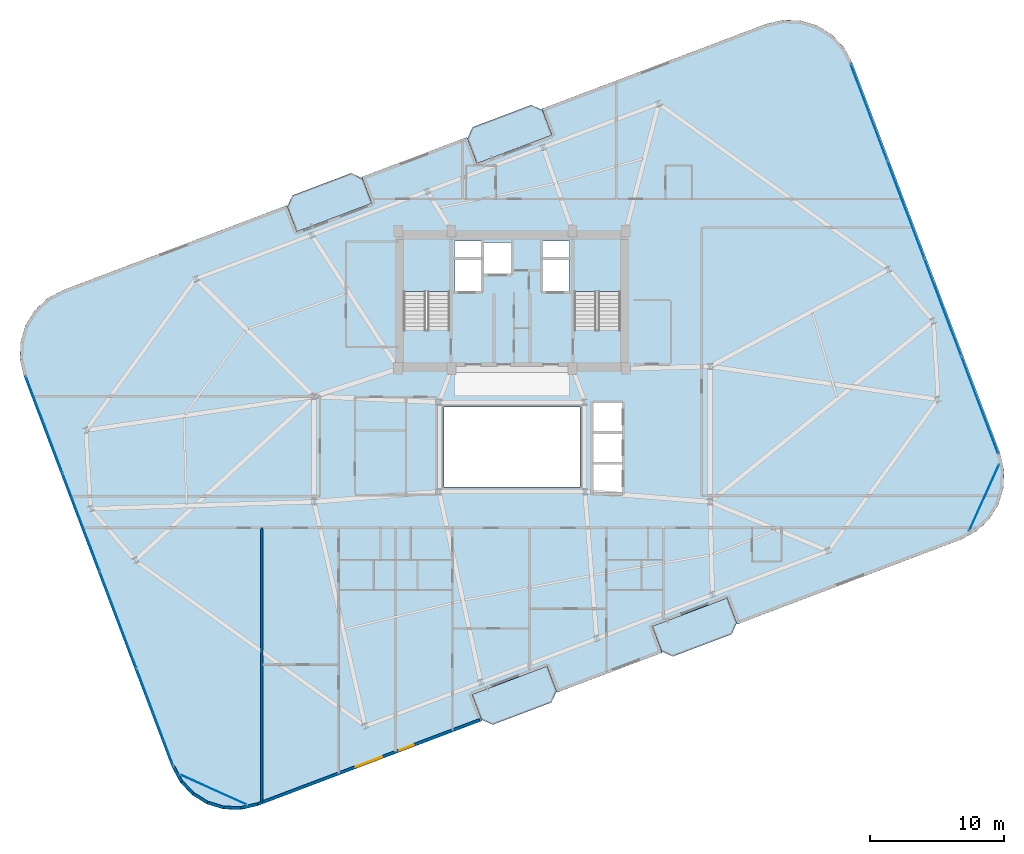
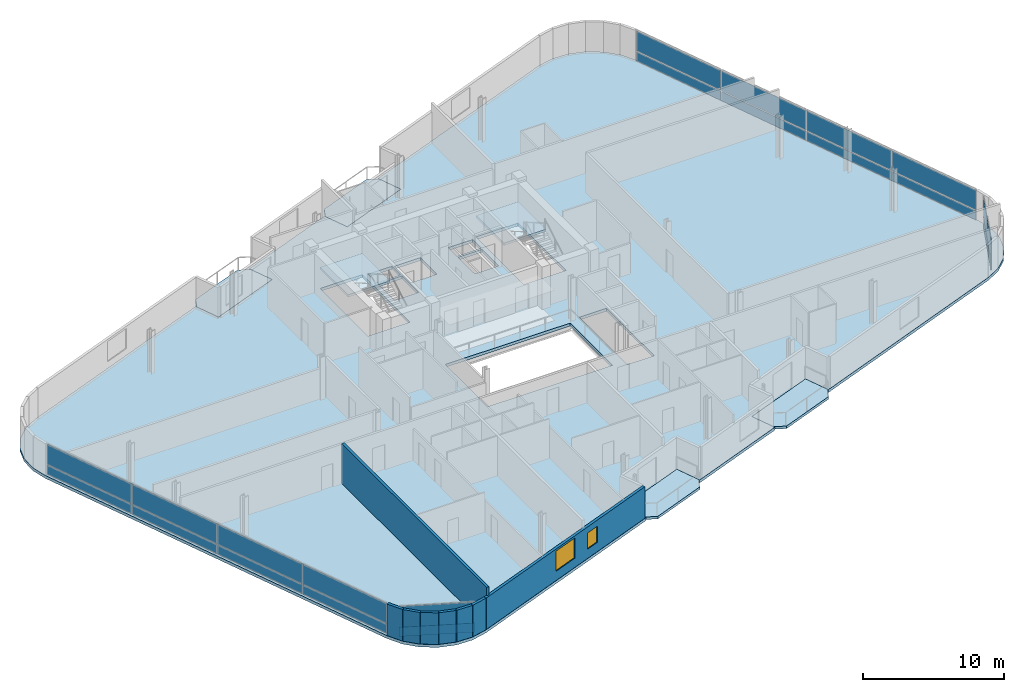
# One storey, part 17 of 24: 20 plates, 8 walls, 7 slabs, 2 windows, 2 openings, 6 elements without a shape of their own.
"""IFC4 building model written with IfcOpenShell, lengths in metres."""

from ifc_helpers import new_model, si_unit, direction, frame, frame_2d, origin, origin_2d, place, context, subcontext, project, spatial, polyline, rectangle, outline, extrude, source, transform, mapped, material, layer, layer_set, type_object, element, fill, aggregate, save


model = new_model("IFC4")

# Units and contexts
model_context = context("Model", 3, precision=1e-05, world=origin(), true_north=direction((0.0, 1.0)))
body_context = subcontext(model_context, "Body", "Model", "MODEL_VIEW")
ifc_project = project(units=[si_unit("LENGTHUNIT", "METRE"), si_unit("AREAUNIT", "SQUARE_METRE"), si_unit("VOLUMEUNIT", "CUBIC_METRE"), si_unit("PLANEANGLEUNIT", "RADIAN"), si_unit("MASSUNIT", "GRAM", prefix="KILO")], contexts=[model_context])

# Site, building, storey
site_placement = place(None, origin())
site = spatial("IfcSite", under=ifc_project, at=site_placement, CompositionType="ELEMENT")
building_placement = place(site_placement, origin())
building = spatial("IfcBuilding", under=site, at=building_placement, Name="Varnelok Gate Tower", CompositionType="ELEMENT")
storey_placement = place(building_placement, frame((0.0, 0.0, 212.699951171875)))
storey = spatial("IfcBuildingStorey", under=building, at=storey_placement, Name="L54", CompositionType="ELEMENT", Elevation=212.699951171875)

# Slabs
ifc_material_1 = material(Name="Concrete C45/55", Category="concrete")
ifc_layer_1 = layer(ifc_material_1, 0.219970703125)
ifc_layer_set_1 = layer_set([ifc_layer_1], Name="Concrete C45/55")
slab_type_1 = type_object("IfcSlabType", Name="SLB-BALC-220", PredefinedType="FLOOR", material=ifc_layer_set_1)
slab_1_placement = place(storey_placement, frame((0.0, 0.0, -0.219970703125)))
element("IfcSlab", 1, at=slab_1_placement, inside=storey, type_object=slab_type_1, Name="L54 South Hollow Balcony 1", PredefinedType="FLOOR", context=body_context, shape_type="SweptSolid", body=[
    extrude(outline(polyline([(36.9189453125, 2.5166015625), (37.757080078125, 2.138916015625), (42.152587890625, 3.802978515625), (42.530517578125, 4.640869140625), (41.822265625, 6.51123046875), (36.2109375, 4.386962890625), (36.9189453125, 2.5166015625)])), origin(), (0.0, 0.0, 1.0), 0.219970703125),
])
slab_2_placement = place(storey_placement, frame((0.0, 0.0, -0.219970703125)))
element("IfcSlab", 2, at=slab_2_placement, inside=storey, type_object=slab_type_1, Name="L54 South Hollow Balcony 2", PredefinedType="FLOOR", context=body_context, shape_type="SweptSolid", body=[
    extrude(outline(polyline([(50.38623046875, 7.614990234375), (51.22412109375, 7.2373046875), (55.619873046875, 8.9013671875), (55.99755859375, 9.739501953125), (55.289306640625, 11.60986328125), (49.677978515625, 9.485595703125), (50.38623046875, 7.614990234375)])), origin(), (0.0, 0.0, 1.0), 0.219970703125),
])
slab_3_placement = place(storey_placement, frame((0.0, 0.0, -0.219970703125)))
element("IfcSlab", 3, at=slab_3_placement, inside=storey, type_object=slab_type_1, Name="L54 North Hollow Balcony 1", PredefinedType="FLOOR", context=body_context, shape_type="SweptSolid", body=[
    extrude(outline(polyline([(23.110595703125, 38.990234375), (28.721923828125, 41.114501953125), (28.013916015625, 42.985107421875), (27.17578125, 43.36279296875), (22.7802734375, 41.698486328125), (22.402587890625, 40.860595703125), (23.110595703125, 38.990234375)])), origin(), (0.0, 0.0, 1.0), 0.219970703125),
])
slab_4_placement = place(storey_placement, frame((0.0, 0.0, -0.219970703125)))
element("IfcSlab", 4, at=slab_4_placement, inside=storey, type_object=slab_type_1, Name="L54 North Hollow Balcony 2", PredefinedType="FLOOR", context=body_context, shape_type="SweptSolid", body=[
    extrude(outline(polyline([(36.577880859375, 44.088623046875), (42.189208984375, 46.212890625), (41.48095703125, 48.08349609375), (40.642822265625, 48.461181640625), (36.247314453125, 46.797119140625), (35.86962890625, 45.958984375), (36.577880859375, 44.088623046875)])), origin(), (0.0, 0.0, 1.0), 0.219970703125),
])

# Stair, slab
ifc_material_2 = material(Name="Concrete C50/60", Category="concrete")
stair_type = type_object("IfcStairType", Name="STR-CORE-1650", PredefinedType="HALF_TURN_STAIR", material=ifc_material_2)
stair_1_placement = place(storey_placement, origin())
stair_1 = element("IfcStair", 5, at=stair_1_placement, inside=storey, type_object=stair_type, Name="L54 Exit Stair ST-1", PredefinedType="HALF_TURN_STAIR")
ifc_layer_2 = layer(ifc_material_1, 0.199951171875)
ifc_layer_set_2 = layer_set([ifc_layer_2], Name="Concrete C45/55")
slab_type_2 = type_object("IfcSlabType", Name="SLB-LAND-200", PredefinedType="LANDING", material=ifc_layer_set_2)
slab_5_placement = place(storey_placement, frame((0.0, 0.0, 1.650146484375)))
slab_5 = element("IfcSlab", 6, at=slab_5_placement, type_object=slab_type_2, Name="ST-1 landing 1", PredefinedType="LANDING", context=body_context, shape_type="SweptSolid", body=[
    extrude(outline(polyline([(34.550048828125, 34.5), (34.550048828125, 38.449951171875), (31.10009765625, 38.449951171875), (31.10009765625, 34.5), (34.550048828125, 34.5)])), origin(), (0.0, 0.0, 1.0), 0.199951171875),
])
aggregate(stair_1, [slab_5])

stair_2_placement = place(storey_placement, origin())
stair_2 = element("IfcStair", 7, at=stair_2_placement, inside=storey, type_object=stair_type, Name="L54 Exit Stair ST-2", PredefinedType="HALF_TURN_STAIR")
slab_6_placement = place(storey_placement, frame((0.0, 0.0, 1.650146484375)))
slab_6 = element("IfcSlab", 8, at=slab_6_placement, type_object=slab_type_2, Name="ST-2 landing 1", PredefinedType="LANDING", context=body_context, shape_type="SweptSolid", body=[
    extrude(outline(polyline([(47.300048828125, 34.5), (47.300048828125, 38.449951171875), (43.85009765625, 38.449951171875), (43.85009765625, 34.5), (47.300048828125, 34.5)])), origin(), (0.0, 0.0, 1.0), 0.199951171875),
])
aggregate(stair_2, [slab_6])

# Slab
ifc_layer_3 = layer(ifc_material_2, 0.25)
ifc_layer_set_3 = layer_set([ifc_layer_3], Name="Concrete C50/60")
slab_type_3 = type_object("IfcSlabType", Name="SLB-TYP-250", PredefinedType="FLOOR", material=ifc_layer_set_3)
slab_7_placement = place(storey_placement, frame((0.0, 0.0, -0.25)))
element("IfcSlab", 9, at=slab_7_placement, inside=storey, type_object=slab_type_3, Name="L54 Structural Floor Slab", PredefinedType="FLOOR", context=body_context, shape_type="SweptSolid", body=[
    extrude(outline(polyline([(13.767578125, -1.0087890625), (14.385009765625, -2.158935546875), (15.279296875, -3.10986328125), (16.388916015625, -3.796875), (17.638671875, -4.17333984375), (18.943359375, -4.213623046875), (20.214111328125, -3.914794921875), (29.8779296875, -0.256103515625), (36.954345703125, 2.423095703125), (36.2109375, 4.386962890625), (41.822265625, 6.51123046875), (42.56591796875, 4.54736328125), (50.421630859375, 7.521484375), (49.677978515625, 9.485595703125), (55.289306640625, 11.60986328125), (56.032958984375, 9.64599609375), (63.109619140625, 12.324951171875), (72.7734375, 15.983642578125), (73.92333984375, 16.60107421875), (74.874267578125, 17.495361328125), (75.561279296875, 18.60498046875), (75.93798828125, 19.854736328125), (75.97802734375, 21.159423828125), (75.67919921875, 22.429931640625), (64.632568359375, 51.60888671875), (64.014892578125, 52.7587890625), (63.120849609375, 53.709716796875), (62.010986328125, 54.39697265625), (60.76123046875, 54.7734375), (59.45654296875, 54.813720703125), (58.18603515625, 54.5146484375), (48.522216796875, 50.856201171875), (41.445556640625, 48.177001953125), (42.189208984375, 46.212890625), (36.577880859375, 44.088623046875), (35.834228515625, 46.052490234375), (27.978515625, 43.07861328125), (28.721923828125, 41.114501953125), (23.110595703125, 38.990234375), (22.3671875, 40.9541015625), (15.29052734375, 38.275146484375), (5.626708984375, 34.616455078125), (4.4765625, 33.998779296875), (3.525634765625, 33.104736328125), (2.838623046875, 31.9951171875), (2.462158203125, 30.7451171875), (2.422119140625, 29.440673828125), (2.720703125, 28.169921875), (13.767578125, -1.0087890625)]), holes=[polyline([(34.550048828125, 31.679931640625), (34.550048828125, 38.449951171875), (31.10009765625, 38.449951171875), (31.10009765625, 31.679931640625), (34.550048828125, 31.679931640625)]), polyline([(47.300048828125, 31.679931640625), (47.300048828125, 38.449951171875), (43.85009765625, 38.449951171875), (43.85009765625, 31.679931640625), (47.300048828125, 31.679931640625)]), polyline([(34.949951171875, 34.550048828125), (36.89990234375, 34.550048828125), (36.89990234375, 36.89990234375), (34.949951171875, 36.89990234375), (34.949951171875, 34.550048828125)]), polyline([(41.5, 34.550048828125), (43.449951171875, 34.550048828125), (43.449951171875, 36.89990234375), (41.5, 36.89990234375), (41.5, 34.550048828125)]), polyline([(37.050048828125, 35.85009765625), (39.14990234375, 35.85009765625), (39.14990234375, 38.199951171875), (37.050048828125, 38.199951171875), (37.050048828125, 35.85009765625)]), polyline([(45.25, 19.449951171875), (47.449951171875, 19.449951171875), (47.449951171875, 26.199951171875), (45.25, 26.199951171875), (45.25, 19.449951171875)]), polyline([(34.919921875, 37.080078125), (36.89990234375, 37.080078125), (36.89990234375, 38.280029296875), (34.919921875, 38.280029296875), (34.919921875, 37.080078125)]), polyline([(41.5, 37.080078125), (43.47998046875, 37.080078125), (43.47998046875, 38.280029296875), (41.5, 38.280029296875), (41.5, 37.080078125)]), polyline([(34.10009765625, 19.89990234375), (44.300048828125, 19.89990234375), (44.300048828125, 25.89990234375), (34.10009765625, 25.89990234375), (34.10009765625, 19.89990234375)])]), origin(), (0.0, 0.0, 1.0), 0.25),
])

# Curtain wall, plates
ifc_material_3 = material(Name="Anodized Aluminum Alloy 6063-T6", Category="aluminium")
ifc_layer_4 = layer(ifc_material_3, 0.179931640625)
ifc_layer_set_4 = layer_set([ifc_layer_4], Name="Anodized Aluminum Alloy 6063-T6")
curtain_wall_type_1 = type_object("IfcCurtainWallType", Name="CW4-RESIDENCE-VISION", PredefinedType="USERDEFINED", material=ifc_layer_set_4)
curtain_wall_1_placement = place(storey_placement, origin())
curtain_wall_1 = element("IfcCurtainWall", 10, at=curtain_wall_1_placement, inside=storey, type_object=curtain_wall_type_1, Name="L54 West End Vision Curtain Wall", ObjectType="UNITISED CURTAIN WALL", PredefinedType="USERDEFINED")
ifc_material_4 = material(Name="Low-E Laminated Double Glazing IGU", Category="glass")
ifc_layer_5 = layer(ifc_material_4, 0.035888671875)
ifc_layer_set_5 = layer_set([ifc_layer_5], Name="Low-E Laminated Double Glazing IGU")
plate_type_1 = type_object("IfcPlateType", Name="CW-PNL-IGU36", PredefinedType="CURTAIN_PANEL", material=ifc_layer_set_5)
shared_shape_1 = source(origin(), body_context, "Body", "SweptSolid", [
    extrude(rectangle(XDim=7.6875, YDim=0.035888671875, at=origin_2d()), origin(), (0.0, 0.0, 1.0), 0.78759765625),
])
plate_1_placement = place(storey_placement, frame((12.510986328125, 2.70556640625, 0.074951171875), z_axis=(0.0, 0.0, 1.0), x_axis=(-0.354063042079, 0.935221557832, 0.0)))
plate_1 = element("IfcPlate", 11, at=plate_1_placement, type_object=plate_type_1, Name="CW4 panel 1.1", PredefinedType="CURTAIN_PANEL", context=body_context, shape_type="MappedRepresentation", body=[
    mapped(shared_shape_1, transform((0.0, 0.0, 0.0), scale=1.0)),
])
plate_2_placement = place(storey_placement, frame((4.2392578125, 24.5546875, 0.074951171875), z_axis=(0.0, 0.0, 1.0), x_axis=(-0.354063042079, 0.935221557832, 0.0)))
plate_2 = element("IfcPlate", 12, at=plate_2_placement, type_object=plate_type_1, Name="CW4 panel 4.1", PredefinedType="CURTAIN_PANEL", context=body_context, shape_type="MappedRepresentation", body=[
    mapped(shared_shape_1, transform((0.0, 0.0, 0.0), scale=1.0)),
])

curtain_wall_2_placement = place(storey_placement, origin())
curtain_wall_2 = element("IfcCurtainWall", 13, at=curtain_wall_2_placement, inside=storey, type_object=curtain_wall_type_1, Name="L54 East End Vision Curtain Wall", ObjectType="UNITISED CURTAIN WALL", PredefinedType="USERDEFINED")
plate_3_placement = place(storey_placement, frame((65.888916015625, 47.89453125, 0.074951171875), z_axis=(0.0, 0.0, 1.0), x_axis=(0.354063042079, -0.935221557832, 0.0)))
plate_3 = element("IfcPlate", 14, at=plate_3_placement, type_object=plate_type_1, Name="CW4 panel 1.1", PredefinedType="CURTAIN_PANEL", context=body_context, shape_type="MappedRepresentation", body=[
    mapped(shared_shape_1, transform((0.0, 0.0, 0.0), scale=1.0)),
])
plate_4_placement = place(storey_placement, frame((74.160888671875, 26.04541015625, 0.074951171875), z_axis=(0.0, 0.0, 1.0), x_axis=(0.354063042079, -0.935221557832, 0.0)))
plate_4 = element("IfcPlate", 15, at=plate_4_placement, type_object=plate_type_1, Name="CW4 panel 4.1", PredefinedType="CURTAIN_PANEL", context=body_context, shape_type="MappedRepresentation", body=[
    mapped(shared_shape_1, transform((0.0, 0.0, 0.0), scale=1.0)),
])

# Plate
shared_shape_2 = source(origin(), body_context, "Body", "SweptSolid", [
    extrude(rectangle(XDim=7.6875, YDim=0.035888671875, at=origin_2d()), origin(), (0.0, 0.0, 1.0), 1.717529296875),
])
plate_5_placement = place(storey_placement, frame((12.510986328125, 2.70556640625, 0.9375), z_axis=(0.0, 0.0, 1.0), x_axis=(-0.354063042079, 0.935221557832, 0.0)))
plate_5 = element("IfcPlate", 16, at=plate_5_placement, type_object=plate_type_1, Name="CW4 panel 1.2", PredefinedType="CURTAIN_PANEL", context=body_context, shape_type="MappedRepresentation", body=[
    mapped(shared_shape_2, transform((0.0, 0.0, 0.0), scale=1.0)),
])

plate_6_placement = place(storey_placement, frame((4.2392578125, 24.5546875, 0.9375), z_axis=(0.0, 0.0, 1.0), x_axis=(-0.354063042079, 0.935221557832, 0.0)))
plate_6 = element("IfcPlate", 17, at=plate_6_placement, type_object=plate_type_1, Name="CW4 panel 4.2", PredefinedType="CURTAIN_PANEL", context=body_context, shape_type="MappedRepresentation", body=[
    mapped(shared_shape_2, transform((0.0, 0.0, 0.0), scale=1.0)),
])

plate_7_placement = place(storey_placement, frame((65.888916015625, 47.89453125, 0.9375), z_axis=(0.0, 0.0, 1.0), x_axis=(0.354063042079, -0.935221557832, 0.0)))
plate_7 = element("IfcPlate", 18, at=plate_7_placement, type_object=plate_type_1, Name="CW4 panel 1.2", PredefinedType="CURTAIN_PANEL", context=body_context, shape_type="MappedRepresentation", body=[
    mapped(shared_shape_2, transform((0.0, 0.0, 0.0), scale=1.0)),
])

plate_8_placement = place(storey_placement, frame((74.160888671875, 26.04541015625, 0.9375), z_axis=(0.0, 0.0, 1.0), x_axis=(0.354063042079, -0.935221557832, 0.0)))
plate_8 = element("IfcPlate", 19, at=plate_8_placement, type_object=plate_type_1, Name="CW4 panel 4.2", PredefinedType="CURTAIN_PANEL", context=body_context, shape_type="MappedRepresentation", body=[
    mapped(shared_shape_2, transform((0.0, 0.0, 0.0), scale=1.0)),
])

shared_shape_3 = source(origin(), body_context, "Body", "SweptSolid", [
    extrude(rectangle(XDim=7.72509765625, YDim=0.035888671875, at=origin_2d()), origin(), (0.0, 0.0, 1.0), 0.78759765625),
])
plate_9_placement = place(storey_placement, frame((9.755859375, 9.982666015625, 0.074951171875), z_axis=(0.0, 0.0, 1.0), x_axis=(-0.354063042079, 0.935221557832, 0.0)))
plate_9 = element("IfcPlate", 20, at=plate_9_placement, type_object=plate_type_1, Name="CW4 panel 2.1", PredefinedType="CURTAIN_PANEL", context=body_context, shape_type="MappedRepresentation", body=[
    mapped(shared_shape_3, transform((0.0, 0.0, 0.0), scale=1.0)),
])

plate_10_placement = place(storey_placement, frame((6.994140625, 17.277587890625, 0.074951171875), z_axis=(0.0, 0.0, 1.0), x_axis=(-0.354063042079, 0.935221557832, 0.0)))
plate_10 = element("IfcPlate", 21, at=plate_10_placement, type_object=plate_type_1, Name="CW4 panel 3.1", PredefinedType="CURTAIN_PANEL", context=body_context, shape_type="MappedRepresentation", body=[
    mapped(shared_shape_3, transform((0.0, 0.0, 0.0), scale=1.0)),
])

plate_11_placement = place(storey_placement, frame((68.64404296875, 40.6171875, 0.074951171875), z_axis=(0.0, 0.0, 1.0), x_axis=(0.354063042079, -0.935221557832, 0.0)))
plate_11 = element("IfcPlate", 22, at=plate_11_placement, type_object=plate_type_1, Name="CW4 panel 2.1", PredefinedType="CURTAIN_PANEL", context=body_context, shape_type="MappedRepresentation", body=[
    mapped(shared_shape_3, transform((0.0, 0.0, 0.0), scale=1.0)),
])

plate_12_placement = place(storey_placement, frame((71.40576171875, 33.322509765625, 0.074951171875), z_axis=(0.0, 0.0, 1.0), x_axis=(0.354063042079, -0.935221557832, 0.0)))
plate_12 = element("IfcPlate", 23, at=plate_12_placement, type_object=plate_type_1, Name="CW4 panel 3.1", PredefinedType="CURTAIN_PANEL", context=body_context, shape_type="MappedRepresentation", body=[
    mapped(shared_shape_3, transform((0.0, 0.0, 0.0), scale=1.0)),
])

shared_shape_4 = source(origin(), body_context, "Body", "SweptSolid", [
    extrude(rectangle(XDim=7.72509765625, YDim=0.035888671875, at=origin_2d()), origin(), (0.0, 0.0, 1.0), 1.717529296875),
])
plate_13_placement = place(storey_placement, frame((9.755859375, 9.982666015625, 0.9375), z_axis=(0.0, 0.0, 1.0), x_axis=(-0.354063042079, 0.935221557832, 0.0)))
plate_13 = element("IfcPlate", 24, at=plate_13_placement, type_object=plate_type_1, Name="CW4 panel 2.2", PredefinedType="CURTAIN_PANEL", context=body_context, shape_type="MappedRepresentation", body=[
    mapped(shared_shape_4, transform((0.0, 0.0, 0.0), scale=1.0)),
])

plate_14_placement = place(storey_placement, frame((6.994140625, 17.277587890625, 0.9375), z_axis=(0.0, 0.0, 1.0), x_axis=(-0.354063042079, 0.935221557832, 0.0)))
plate_14 = element("IfcPlate", 25, at=plate_14_placement, type_object=plate_type_1, Name="CW4 panel 3.2", PredefinedType="CURTAIN_PANEL", context=body_context, shape_type="MappedRepresentation", body=[
    mapped(shared_shape_4, transform((0.0, 0.0, 0.0), scale=1.0)),
])

aggregate(curtain_wall_1, [plate_1, plate_5, plate_9, plate_13, plate_10, plate_14, plate_2, plate_6])

plate_15_placement = place(storey_placement, frame((68.64404296875, 40.6171875, 0.9375), z_axis=(0.0, 0.0, 1.0), x_axis=(0.354063042079, -0.935221557832, 0.0)))
plate_15 = element("IfcPlate", 26, at=plate_15_placement, type_object=plate_type_1, Name="CW4 panel 2.2", PredefinedType="CURTAIN_PANEL", context=body_context, shape_type="MappedRepresentation", body=[
    mapped(shared_shape_4, transform((0.0, 0.0, 0.0), scale=1.0)),
])

plate_16_placement = place(storey_placement, frame((71.40576171875, 33.322509765625, 0.9375), z_axis=(0.0, 0.0, 1.0), x_axis=(0.354063042079, -0.935221557832, 0.0)))
plate_16 = element("IfcPlate", 27, at=plate_16_placement, type_object=plate_type_1, Name="CW4 panel 3.2", PredefinedType="CURTAIN_PANEL", context=body_context, shape_type="MappedRepresentation", body=[
    mapped(shared_shape_4, transform((0.0, 0.0, 0.0), scale=1.0)),
])

aggregate(curtain_wall_2, [plate_3, plate_7, plate_11, plate_15, plate_12, plate_16, plate_4, plate_8])

# Curtain wall, plate
ifc_layer_6 = layer(ifc_material_3, 0.179931640625)
ifc_layer_set_6 = layer_set([ifc_layer_6], Name="Anodized Aluminum Alloy 6063-T6")
curtain_wall_type_2 = type_object("IfcCurtainWallType", Name="CW5-WINDCORNER-GLAZ", PredefinedType="USERDEFINED", material=ifc_layer_set_6)
curtain_wall_3_placement = place(storey_placement, origin())
curtain_wall_3 = element("IfcCurtainWall", 28, at=curtain_wall_3_placement, inside=storey, type_object=curtain_wall_type_2, Name="L54 Wind-Shaped Corner Curtain Wall SW", ObjectType="STRUCTURAL GLAZING", PredefinedType="USERDEFINED")
ifc_layer_7 = layer(ifc_material_4, 0.0419921875)
ifc_layer_set_7 = layer_set([ifc_layer_7], Name="Low-E Laminated Double Glazing IGU")
plate_type_2 = type_object("IfcPlateType", Name="CW-PNL-SPN42", PredefinedType="CURTAIN_PANEL", material=ifc_layer_set_7)
shared_shape_5 = source(origin(), body_context, "Body", "SweptSolid", [
    extrude(rectangle(XDim=5.385498046875, YDim=0.0419921875, at=origin_2d()), origin(), (0.0, 0.0, 1.0), 0.802490234375),
])
plate_17_placement = place(storey_placement, frame((16.87451171875, -2.7197265625, 0.06494140625), z_axis=(0.0, 0.0, 1.0), x_axis=(0.911662816164, -0.410939058285, 0.0)))
plate_17 = element("IfcPlate", 29, at=plate_17_placement, type_object=plate_type_2, Name="CW5 panel 1.1", PredefinedType="CURTAIN_PANEL", context=body_context, shape_type="MappedRepresentation", body=[
    mapped(shared_shape_5, transform((0.0, 0.0, 0.0), scale=1.0)),
])

curtain_wall_4_placement = place(storey_placement, origin())
curtain_wall_4 = element("IfcCurtainWall", 30, at=curtain_wall_4_placement, inside=storey, type_object=curtain_wall_type_2, Name="L54 Wind-Shaped Corner Curtain Wall SE", ObjectType="STRUCTURAL GLAZING", PredefinedType="USERDEFINED")
plate_18_placement = place(storey_placement, frame((74.484130859375, 19.090576171875, 0.06494140625), z_axis=(0.0, 0.0, 1.0), x_axis=(0.410939058285, 0.911662816164, 0.0)))
plate_18 = element("IfcPlate", 31, at=plate_18_placement, type_object=plate_type_2, Name="CW5 panel 1.1", PredefinedType="CURTAIN_PANEL", context=body_context, shape_type="MappedRepresentation", body=[
    mapped(shared_shape_5, transform((0.0, 0.0, 0.0), scale=1.0)),
])

# Plate
shared_shape_6 = source(origin(), body_context, "Body", "SweptSolid", [
    extrude(rectangle(XDim=5.385498046875, YDim=0.0419921875, at=origin_2d()), origin(), (0.0, 0.0, 1.0), 1.732421875),
])
plate_19_placement = place(storey_placement, frame((16.87451171875, -2.7197265625, 0.9326171875), z_axis=(0.0, 0.0, 1.0), x_axis=(0.911662816164, -0.410939058285, 0.0)))
plate_19 = element("IfcPlate", 32, at=plate_19_placement, type_object=plate_type_2, Name="CW5 panel 1.2", PredefinedType="CURTAIN_PANEL", context=body_context, shape_type="MappedRepresentation", body=[
    mapped(shared_shape_6, transform((0.0, 0.0, 0.0), scale=1.0)),
])

aggregate(curtain_wall_3, [plate_17, plate_19])

plate_20_placement = place(storey_placement, frame((74.484130859375, 19.090576171875, 0.9326171875), z_axis=(0.0, 0.0, 1.0), x_axis=(0.410939058285, 0.911662816164, 0.0)))
plate_20 = element("IfcPlate", 33, at=plate_20_placement, type_object=plate_type_2, Name="CW5 panel 1.2", PredefinedType="CURTAIN_PANEL", context=body_context, shape_type="MappedRepresentation", body=[
    mapped(shared_shape_6, transform((0.0, 0.0, 0.0), scale=1.0)),
])

aggregate(curtain_wall_4, [plate_18, plate_20])

# Walls
ifc_layer_8 = layer(ifc_material_1, 0.219970703125)
ifc_layer_set_8 = layer_set([ifc_layer_8], Name="Concrete C45/55")
wall_type_1 = type_object("IfcWallType", Name="EW-BALC-220", PredefinedType="SOLIDWALL", material=ifc_layer_set_8)
wall_1_placement = place(storey_placement, frame((13.880615234375, -0.966064453125, 0.0), z_axis=(0.0, 0.0, 1.0), x_axis=(0.473242342135, -0.88093228208, 0.0)))
element("IfcWall", 34, at=wall_1_placement, inside=storey, type_object=wall_type_1, Name="L54 Perimeter Facade Closure Wall 1", PredefinedType="SOLIDWALL", context=body_context, shape_type="SweptSolid", body=[
    extrude(rectangle(XDim=1.273681640625, YDim=0.219970703125, at=frame_2d((0.63671875, 0.0))), origin(), (0.0, 0.0, 1.0), 2.72998046875),
])
for number, where, z_axis, x_axis, name in (
    (35, (14.50048828125, -2.1064453125, 0.0), (0.0, 0.0, 1.0), (0.684968140504, -0.728573020702, 0.0), "L54 Perimeter Facade Closure Wall 2"),
    (36, (15.377197265625, -3.029296875, 0.0), (0.0, 0.0, 1.0), (0.850231806078, -0.526408468713, 0.0), "L54 Perimeter Facade Closure Wall 3"),
    (37, (16.462646484375, -3.69384765625, 0.0), (0.0, 0.0, 1.0), (0.957508189204, -0.288406081086, 0.0), "L54 Perimeter Facade Closure Wall 4"),
):
    element("IfcWall", number, at=place(storey_placement, frame(where, z_axis=z_axis, x_axis=x_axis)), inside=storey, type_object=wall_type_1, Name=name, PredefinedType="SOLIDWALL", context=body_context, shape_type="SweptSolid", body=[
        extrude(rectangle(XDim=1.24853515625, YDim=0.219970703125, at=frame_2d((0.624267578125, 0.0))), origin(), (0.0, 0.0, 1.0), 2.72998046875),
    ])
wall_2_placement = place(storey_placement, frame((17.68310546875, -4.0546875, 0.0), z_axis=(0.0, 0.0, 1.0), x_axis=(0.999522886512, -0.030886879732, 0.0)))
element("IfcWall", 38, at=wall_2_placement, inside=storey, type_object=wall_type_1, Name="L54 Perimeter Facade Closure Wall 5", PredefinedType="SOLIDWALL", context=body_context, shape_type="SweptSolid", body=[
    extrude(rectangle(XDim=1.248779296875, YDim=0.219970703125, at=frame_2d((0.62451171875, 0.0))), origin(), (0.0, 0.0, 1.0), 2.72998046875),
])
wall_3_placement = place(storey_placement, frame((18.95556640625, -4.08740234375, 0.0), z_axis=(0.0, 0.0, 1.0), x_axis=(0.973463008152, 0.228844426981, 0.0)))
element("IfcWall", 39, at=wall_3_placement, inside=storey, type_object=wall_type_1, Name="L54 Perimeter Facade Closure Wall 6", PredefinedType="SOLIDWALL", context=body_context, shape_type="SweptSolid", body=[
    extrude(rectangle(XDim=1.2568359375, YDim=0.219970703125, at=frame_2d((0.62841796875, 0.0))), origin(), (0.0, 0.0, 1.0), 2.72998046875),
])

# Wall, openings, windows
wall_4_placement = place(storey_placement, frame((20.2021484375, -3.790771484375, 0.0), z_axis=(0.0, 0.0, 1.0), x_axis=(0.935225574232, 0.354052432984, 0.0)))
wall_4 = element("IfcWall", 40, at=wall_4_placement, inside=storey, type_object=wall_type_1, Name="L54 Perimeter Facade Closure Wall 7", PredefinedType="SOLIDWALL", context=body_context, shape_type="SweptSolid", body=[
    extrude(rectangle(XDim=17.747314453125, YDim=0.219970703125, at=frame_2d((8.87353515625, 0.0))), origin(), (0.0, 0.0, 1.0), 2.72998046875),
])
opening_1_placement = place(wall_4_placement, frame((7.823486328125, 0.0, 0.800048828125)))
opening_1 = element("IfcOpeningElement", 41, at=opening_1_placement, cuts=wall_4, Name="Opening WN4", PredefinedType="OPENING", context=body_context, shape_type="SweptSolid", body=[
    extrude(rectangle(XDim=2.10009765625, YDim=1.75, at=frame_2d((1.050048828125, 0.875))), frame((0.0, 0.119873046875, 0.0), z_axis=(0.0, -1.0, 0.0), x_axis=(1.0, 0.0, 0.0)), (0.0, 0.0, 1.0), 0.239990234375),
])
opening_2_placement = place(wall_4_placement, frame((11.298095703125, 0.0, 0.800048828125)))
opening_2 = element("IfcOpeningElement", 42, at=opening_2_placement, cuts=wall_4, Name="Opening WN8", PredefinedType="OPENING", context=body_context, shape_type="SweptSolid", body=[
    extrude(rectangle(XDim=1.14990234375, YDim=1.39990234375, at=frame_2d((0.574951171875, 0.699951171875))), frame((0.0, 0.119873046875, 0.0), z_axis=(0.0, -1.0, 0.0), x_axis=(1.0, 0.0, 0.0)), (0.0, 0.0, 1.0), 0.239990234375),
])
window_type_1 = type_object("IfcWindowType", Name="WN-BED-1150", PartitioningType="SINGLE_PANEL", PredefinedType="WINDOW", material=ifc_material_4)
window_1_placement = place(opening_2_placement, origin())
window_1 = element("IfcWindow", 43, at=window_1_placement, inside=storey, type_object=window_type_1, Name="L54 Bedroom Vision Window 37", OverallHeight=1.39990234375, OverallWidth=1.14990234375, PartitioningType="SINGLE_PANEL", PredefinedType="WINDOW", context=body_context, shape_type="SweptSolid", body=[
    extrude(rectangle(XDim=1.14990234375, YDim=1.39990234375, at=frame_2d((0.574951171875, 0.699951171875))), frame((0.0, 0.030029296875, 0.0), z_axis=(0.0, -1.0, 0.0), x_axis=(1.0, 0.0, 0.0)), (0.0, 0.0, 1.0), 0.06005859375),
])
fill(opening_2, window_1)
window_type_2 = type_object("IfcWindowType", Name="WN-SUI-2100", PartitioningType="SINGLE_PANEL", PredefinedType="WINDOW", material=ifc_material_4)
window_2_placement = place(opening_1_placement, origin())
window_2 = element("IfcWindow", 44, at=window_2_placement, inside=storey, type_object=window_type_2, Name="L54 Perimeter Vision Window 7", OverallHeight=1.75, OverallWidth=2.10009765625, PartitioningType="SINGLE_PANEL", PredefinedType="WINDOW", context=body_context, shape_type="SweptSolid", body=[
    extrude(rectangle(XDim=2.10009765625, YDim=1.75, at=frame_2d((1.050048828125, 0.875))), frame((0.0, 0.030029296875, 0.0), z_axis=(0.0, -1.0, 0.0), x_axis=(1.0, 0.0, 0.0)), (0.0, 0.0, 1.0), 0.06005859375),
])
fill(opening_1, window_2)

# Wall
ifc_material_5 = material(Name="Gypsum Plasterboard Acoustic Partition", Category="gypsum")
ifc_layer_9 = layer(ifc_material_5, 0.205078125)
ifc_layer_set_9 = layer_set([ifc_layer_9], Name="Gypsum Plasterboard Acoustic Partition")
wall_type_2 = type_object("IfcWallType", Name="PW-PARTY-200", PredefinedType="PARTITIONING", material=ifc_layer_set_9)
wall_5_placement = place(storey_placement, frame((20.5, -3.65673828125, 0.0), z_axis=(0.0, 0.0, 1.0), x_axis=(0.0, 1.0, 0.0)))
element("IfcWall", 45, at=wall_5_placement, inside=storey, type_object=wall_type_2, Name="L54 South Party Wall 1", PredefinedType="PARTITIONING", context=body_context, shape_type="SweptSolid", body=[
    extrude(rectangle(XDim=20.5068359375, YDim=0.205078125, at=frame_2d((10.25341796875, 0.0))), origin(), (0.0, 0.0, 1.0), 3.449951171875),
])

save(model, "model.ifc")
